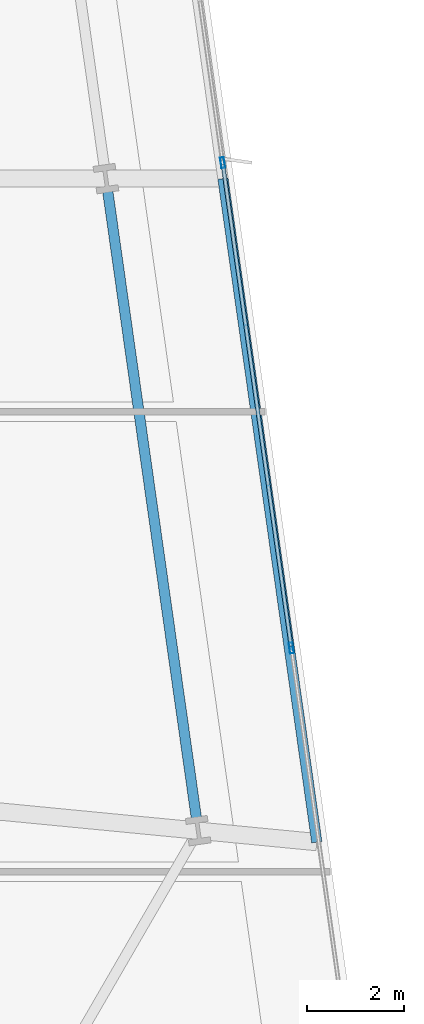
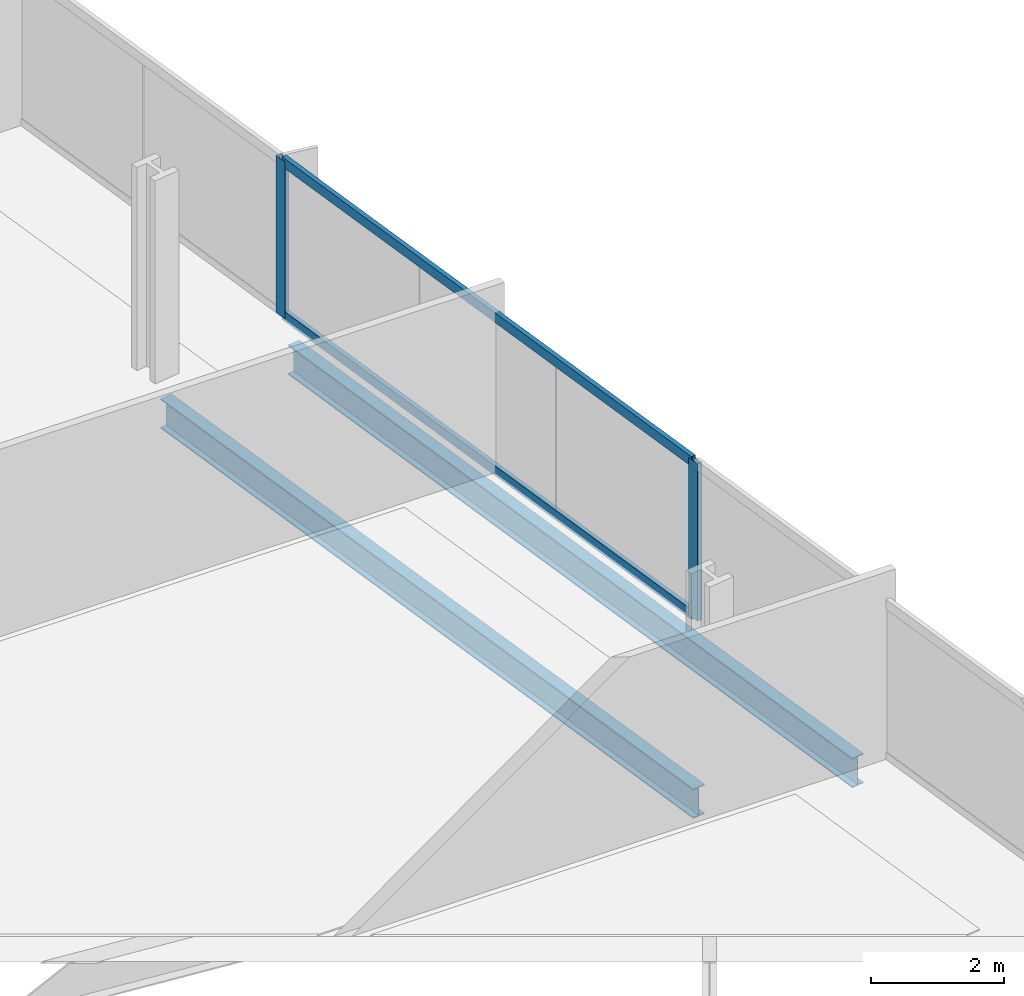
# One storey, part 13 of 33: 4 members, 2 beams, 1 element without a shape of its own.
"""IFC4 building model written with IfcOpenShell, lengths in metres."""

import ifcopenshell
import ifcopenshell.guid

model = None  # the IFC model being written
_history = None  # IfcOwnerHistory: only IFC2X3 demands one
_inside = {}  # id of a spatial element -> (the spatial element, [elements in it])
_under = {}  # id of a project, library or spatial element -> (it, [spatial elements below it])
_declared = {}  # id of a project -> (the project, [libraries it declares])
_typed = {}  # id of a type object -> (the type object, [elements of that type])
_made_of = {}  # id of a material, layer set ... -> (it, [elements and type objects made of it])


def new_model(schema):
    """Start an empty IFC model of exactly this schema.

    Asked for "IFC4X3", IfcOpenShell would pick the latest addendum, in which some entities
    have other attributes; the version numbers below select the first issue.
    IFC2X3 requires an IfcOwnerHistory on every rooted entity: one is made here for all.
    """
    global model, _history
    if schema == "IFC4X3":
        model = ifcopenshell.file(schema_version=(4, 3, 0, 0))
    else:
        model = ifcopenshell.file(schema=schema)
    _inside.clear()
    _under.clear()
    _declared.clear()
    _typed.clear()
    _made_of.clear()
    _history = None
    if model.schema == "IFC2X3":
        org = make("IfcOrganization", Name="unknown")
        user = make(
            "IfcPersonAndOrganization",
            ThePerson=make("IfcPerson", FamilyName="unknown"),
            TheOrganization=org,
        )
        app = make(
            "IfcApplication",
            ApplicationDeveloper=org,
            Version="unknown",
            ApplicationFullName="unknown",
            ApplicationIdentifier="unknown",
        )
        _history = make(
            "IfcOwnerHistory",
            OwningUser=user,
            OwningApplication=app,
            ChangeAction="ADDED",
            CreationDate=0,
        )
    return model


def make(cls, **values):
    """One entity of the class cls with the attributes given. An attribute that is None is left unset."""
    return model.create_entity(
        cls, **{name: value for name, value in values.items() if value is not None}
    )


def rooted(cls, **values):
    """An entity with a GlobalId (a new one), such as an element, a storey or a relation."""
    return make(cls, GlobalId=ifcopenshell.guid.new(), OwnerHistory=_history, **values)


def si_unit(unit_type, name, prefix=None):
    """IfcSIUnit, for example si_unit("LENGTHUNIT", "METRE", prefix="MILLI")."""
    return make("IfcSIUnit", UnitType=unit_type, Prefix=prefix, Name=name)


def assignment(units):
    """IfcUnitAssignment: the units of a project."""
    return None if units is None else make("IfcUnitAssignment", Units=units)


def point(xyz):
    """IfcCartesianPoint."""
    return None if xyz is None else make("IfcCartesianPoint", Coordinates=xyz)


def direction(xyz):
    """IfcDirection."""
    return None if xyz is None else make("IfcDirection", DirectionRatios=xyz)


def frame(location, z_axis=None, x_axis=None):
    """IfcAxis2Placement3D, a coordinate frame: its origin and axes. An axis left out is left unset."""
    return make(
        "IfcAxis2Placement3D",
        Location=point(location),
        Axis=direction(z_axis),
        RefDirection=direction(x_axis),
    )


def frame_2d(location, x_axis=None):
    """IfcAxis2Placement2D, a coordinate frame in the plane: its origin and x axis."""
    return make(
        "IfcAxis2Placement2D", Location=point(location), RefDirection=direction(x_axis)
    )


def origin():
    """The frame at (0, 0, 0) with its axes left unset."""
    return frame((0.0, 0.0, 0.0))


def origin_2d():
    """The frame at (0, 0) in the plane with its x axis left unset."""
    return frame_2d((0.0, 0.0))


def place(relative_to, where):
    """IfcLocalPlacement: puts the frame where relative to a parent placement (None: the world)."""
    return make(
        "IfcLocalPlacement", PlacementRelTo=relative_to, RelativePlacement=where
    )


def context(
    kind, dimensions, precision=None, world=None, true_north=None, identifier=None
):
    """IfcGeometricRepresentationContext, for example the 3D "Model" context."""
    return make(
        "IfcGeometricRepresentationContext",
        ContextIdentifier=identifier,
        ContextType=kind,
        CoordinateSpaceDimension=dimensions,
        Precision=precision,
        WorldCoordinateSystem=world,
        TrueNorth=true_north,
    )


def subcontext(parent, identifier, kind, view, scale=None):
    """IfcGeometricRepresentationSubContext, for example "Body" below "Model"."""
    return make(
        "IfcGeometricRepresentationSubContext",
        ContextIdentifier=identifier,
        ContextType=kind,
        ParentContext=parent,
        TargetScale=scale,
        TargetView=view,
    )


def project(units=None, contexts=None):
    """IfcProject with its units and contexts."""
    return rooted(
        "IfcProject",
        Name="project",
        RepresentationContexts=contexts,
        UnitsInContext=assignment(units),
    )


def spatial(cls, under=None, at=None, **own):
    """A site, building, storey or space (cls), placed at a placement, below another one or the project."""
    s = rooted(cls, ObjectPlacement=at, **own)
    if under is not None:
        _under.setdefault(under.id(), (under, []))[1].append(s)
    return s


def profile(cls, at=None, kind="AREA", **sizes):
    """A parametric profile (cls). Its sizes go by their IFC names, for example OverallWidth=200.0."""
    return make(cls, ProfileType=kind, Position=at, **sizes)


def hollow_rectangle(**sizes):
    """IfcRectangleHollowProfileDef."""
    return profile("IfcRectangleHollowProfileDef", **sizes)


def i_section(**sizes):
    """IfcIShapeProfileDef."""
    return profile("IfcIShapeProfileDef", **sizes)


def extrude(swept, where, along, depth):
    """IfcExtrudedAreaSolid: the profile swept, set in the frame where, extruded along a direction by depth."""
    return make(
        "IfcExtrudedAreaSolid",
        SweptArea=swept,
        Position=where,
        ExtrudedDirection=direction(along),
        Depth=depth,
    )


def shape(context_of_items, identifier, shape_type, items):
    """IfcShapeRepresentation: the items that make up one representation, for example the "Body"."""
    return make(
        "IfcShapeRepresentation",
        ContextOfItems=context_of_items,
        RepresentationIdentifier=identifier,
        RepresentationType=shape_type,
        Items=items,
    )


def material(Name=None, Category=None):
    """IfcMaterial."""
    return make("IfcMaterial", Name=Name, Category=Category)


def material_profile(
    of_material, cross_section, Name=None, Category=None, Priority=None
):
    """IfcMaterialProfile: a cross section and its material."""
    return make(
        "IfcMaterialProfile",
        Name=Name,
        Material=of_material,
        Profile=cross_section,
        Priority=Priority,
        Category=Category,
    )


def profile_set(profiles, Name=None, composite=None):
    """IfcMaterialProfileSet."""
    return make(
        "IfcMaterialProfileSet",
        Name=Name,
        MaterialProfiles=profiles,
        CompositeProfile=composite,
    )


def made_of(thing, what):
    """Note that an element or type object is made of a material, layer set ...; save() writes the relation."""
    if what is not None:
        _made_of.setdefault(what.id(), (what, []))[1].append(thing)
    return thing


def type_object(cls, material=None, **own):
    """A type object (cls), such as IfcWallType, which elements share."""
    return made_of(rooted(cls, **own), material)


def element(
    cls,
    number,
    at=None,
    inside=None,
    cuts=None,
    type_object=None,
    material=None,
    context=None,
    identifier="Body",
    shape_type=None,
    held_by="IfcProductDefinitionShape",
    body=None,
    shapes=None,
    **own,
):
    """One element of the class cls, such as IfcWall. Its Tag is "e" and its number.

    at: its placement. inside: the storey or other place that contains it. cuts: it is an
    opening in that element (IfcRelVoidsElement). A single representation is given by context,
    identifier, shape_type and body (its items); several are given by shapes. held_by: the class
    of the entity that holds the representations. save() writes the other relations.
    """
    e = rooted(cls, Tag="e%d" % number, ObjectPlacement=at, **own)
    if body is not None:
        shapes = [shape(context, identifier, shape_type, body)]
    if shapes is not None:
        e.Representation = make(held_by, Representations=shapes)
    if inside is not None:
        _inside.setdefault(inside.id(), (inside, []))[1].append(e)
    if cuts is not None:
        rooted(
            "IfcRelVoidsElement", RelatingBuildingElement=cuts, RelatedOpeningElement=e
        )
    if type_object is not None:
        _typed.setdefault(type_object.id(), (type_object, []))[1].append(e)
    return made_of(e, material)


def aggregate(whole, parts):
    """IfcRelAggregates: a whole, such as a stair, and the parts it consists of."""
    return rooted("IfcRelAggregates", RelatingObject=whole, RelatedObjects=parts)


def save(model, path):
    """Write the relations noted so far, then the file.

    IfcRelAggregates (storeys below a building ...), IfcRelContainedInSpatialStructure (elements
    in a storey), IfcRelDefinesByType, IfcRelAssociatesMaterial and IfcRelDeclares: one each for
    every whole, place, type object, material and project.
    """
    for whole, parts in _under.values():
        aggregate(whole, parts)
    for where, things in _inside.values():
        rooted(
            "IfcRelContainedInSpatialStructure",
            RelatedElements=things,
            RelatingStructure=where,
        )
    for kind, things in _typed.values():
        rooted("IfcRelDefinesByType", RelatedObjects=things, RelatingType=kind)
    for what, things in _made_of.values():
        rooted("IfcRelAssociatesMaterial", RelatedObjects=things, RelatingMaterial=what)
    for by, libraries in _declared.values():
        rooted("IfcRelDeclares", RelatingContext=by, RelatedDefinitions=libraries)
    model.write(path)


model = new_model("IFC4")

# Units and contexts
model_context = context("Model", 3, precision=1e-05, world=origin(), true_north=direction((0.0, 1.0)))
body_context = subcontext(model_context, "Body", "Model", "MODEL_VIEW")
ifc_project = project(units=[si_unit("LENGTHUNIT", "METRE"), si_unit("AREAUNIT", "SQUARE_METRE"), si_unit("VOLUMEUNIT", "CUBIC_METRE"), si_unit("PLANEANGLEUNIT", "RADIAN"), si_unit("MASSUNIT", "GRAM", prefix="KILO")], contexts=[model_context])

# Site, building, storey
site_placement = place(None, origin())
site = spatial("IfcSite", under=ifc_project, at=site_placement, CompositionType="ELEMENT")
building_placement = place(site_placement, origin())
building = spatial("IfcBuilding", under=site, at=building_placement, Name="Haldenkirk Collegiate Tower", CompositionType="ELEMENT")
storey_placement = place(building_placement, frame((0.0, 0.0, 55.199951171875)))
storey = spatial("IfcBuildingStorey", under=building, at=storey_placement, Name="L12", CompositionType="ELEMENT", Elevation=55.199951171875)

# Beams
ifc_material_1 = material(Name="Steel ASTM A992 Grade 50", Category="steel")
ifc_material_profile_1 = material_profile(ifc_material_1, i_section(OverallWidth=0.2119140625, OverallDepth=0.5439453125, WebThickness=0.01318359375, FlangeThickness=0.021240234375, at=origin_2d()), Name="W21X83")
ifc_profile_set_1 = profile_set([ifc_material_profile_1], Name="Steel ASTM A992 Grade 50")
beam_type = type_object("IfcBeamType", Name="BM-SPANDREL-W21X83", PredefinedType="SPANDREL", material=ifc_profile_set_1)
beam_1_placement = place(storey_placement, frame((61.611083984375, 16.65478515625, -0.58203125), z_axis=(-0.140040904101, 0.990145719164, 0.0), x_axis=(-0.990145719164, -0.140040904101, 0.0)))
element("IfcBeam", 1, at=beam_1_placement, inside=storey, type_object=beam_type, Name="L12 perimeter spandrel beam 06", PredefinedType="SPANDREL", context=body_context, shape_type="SweptSolid", body=[
    extrude(i_section(OverallWidth=0.2119140625, OverallDepth=0.5439453125, WebThickness=0.01318359375, FlangeThickness=0.021240234375, at=origin_2d()), origin(), (0.0, 0.0, 1.0), 13.000244140625),
])
beam_2_placement = place(storey_placement, frame((64.0849609375, 16.15771484375, -0.58203125), z_axis=(-0.14002838077, 0.990147490316, 0.0), x_axis=(-0.990147490316, -0.14002838077, 0.0)))
element("IfcBeam", 2, at=beam_2_placement, inside=storey, type_object=beam_type, Name="L12 outer facade edge beam 2A", PredefinedType="SPANDREL", context=body_context, shape_type="SweptSolid", body=[
    extrude(i_section(OverallWidth=0.2119140625, OverallDepth=0.5439453125, WebThickness=0.01318359375, FlangeThickness=0.021240234375, at=origin_2d()), origin(), (0.0, 0.0, 1.0), 13.766845703125),
])

# Curtain wall, members
ifc_material_2 = material(Name="Anodised architectural bronze aluminium", Category="aluminium")
curtain_wall_type = type_object("IfcCurtainWallType", Name="CW-SYS1-CONVEX-LOW", PredefinedType="USERDEFINED", material=ifc_material_2)
curtain_wall_placement = place(storey_placement, origin())
curtain_wall = element("IfcCurtainWall", 3, at=curtain_wall_placement, inside=storey, type_object=curtain_wall_type, Name="L12 Lower tower convex bronze-framed unitised curtain wall", ObjectType="UNITISED CURTAIN WALL", PredefinedType="USERDEFINED")
ifc_material_profile_2 = material_profile(ifc_material_2, hollow_rectangle(XDim=0.080078125, YDim=0.219970703125, WallThickness=0.0048828125, at=origin_2d()), Name="CW-MUL-1A")
ifc_profile_set_2 = profile_set([ifc_material_profile_2], Name="Anodised architectural bronze aluminium")
member_type_1 = type_object("IfcMemberType", Name="CW-MUL-1A", PredefinedType="MULLION", material=ifc_profile_set_2)
member_1_placement = place(storey_placement, frame((62.1513671875, 30.115234375, 0.0), z_axis=(0.0, 0.0, 1.0), x_axis=(0.990145921918, 0.140039470541, 0.0)))
member_1 = element("IfcMember", 4, at=member_1_placement, type_object=member_type_1, Name="CW-1A mullion 3", PredefinedType="MULLION", context=body_context, shape_type="SweptSolid", body=[
    extrude(hollow_rectangle(XDim=0.080078125, YDim=0.219970703125, WallThickness=0.0048828125, at=origin_2d()), origin(), (0.0, 0.0, 1.0), 2.89111328125),
])
member_2_placement = place(storey_placement, frame((63.5615234375, 20.145751953125, 0.0), z_axis=(0.0, 0.0, 1.0), x_axis=(0.990145921918, 0.140039470541, 0.0)))
member_2 = element("IfcMember", 5, at=member_2_placement, type_object=member_type_1, Name="CW-1A mullion 4", PredefinedType="MULLION", context=body_context, shape_type="SweptSolid", body=[
    extrude(hollow_rectangle(XDim=0.080078125, YDim=0.219970703125, WallThickness=0.0048828125, at=origin_2d()), origin(), (0.0, 0.0, 1.0), 2.89111328125),
])
ifc_material_profile_3 = material_profile(ifc_material_2, hollow_rectangle(XDim=0.080078125, YDim=0.179931640625, WallThickness=0.0048828125, at=origin_2d()), Name="CW-TRN-1A")
ifc_profile_set_3 = profile_set([ifc_material_profile_3], Name="Anodised architectural bronze aluminium")
member_type_2 = type_object("IfcMemberType", Name="CW-TRN-1A", PredefinedType="USERDEFINED", material=ifc_profile_set_3)
member_3_placement = place(storey_placement, frame((62.156982421875, 30.07568359375, 0.0400390625), z_axis=(0.140049081569, -0.990144562552, 0.0), x_axis=(0.990144562552, 0.140049081569, 0.0)))
member_3 = element("IfcMember", 6, at=member_3_placement, type_object=member_type_2, Name="CW-1A transom 3.1", ObjectType="TRANSOM", PredefinedType="USERDEFINED", context=body_context, shape_type="SweptSolid", body=[
    extrude(hollow_rectangle(XDim=0.080078125, YDim=0.179931640625, WallThickness=0.0048828125, at=origin_2d()), origin(), (0.0, 0.0, 1.0), 9.98876953125),
])
member_4_placement = place(storey_placement, frame((62.156982421875, 30.07568359375, 2.85107421875), z_axis=(0.140049081569, -0.990144562552, 0.0), x_axis=(0.990144562552, 0.140049081569, 0.0)))
member_4 = element("IfcMember", 7, at=member_4_placement, type_object=member_type_2, Name="CW-1A transom 3.2", ObjectType="TRANSOM", PredefinedType="USERDEFINED", context=body_context, shape_type="SweptSolid", body=[
    extrude(hollow_rectangle(XDim=0.080078125, YDim=0.179931640625, WallThickness=0.0048828125, at=origin_2d()), origin(), (0.0, 0.0, 1.0), 9.98876953125),
])
aggregate(curtain_wall, [member_1, member_2, member_3, member_4])

save(model, "model.ifc")
